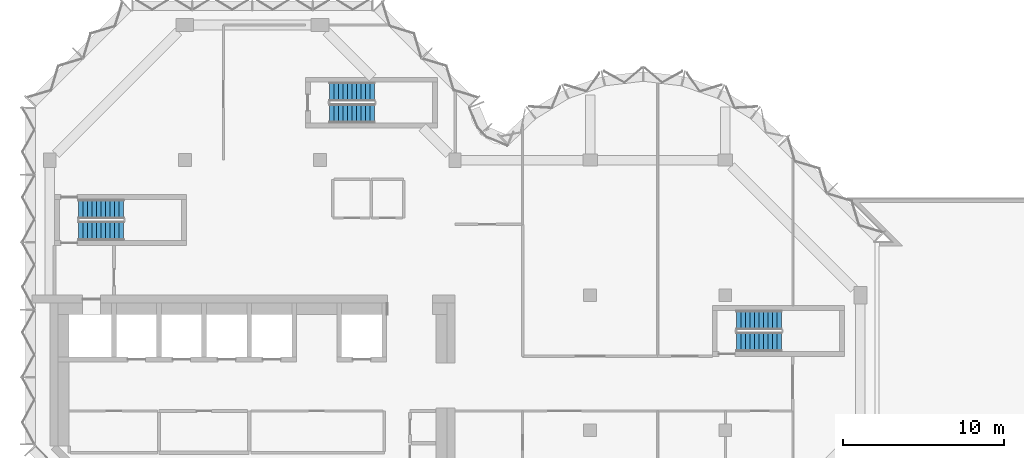
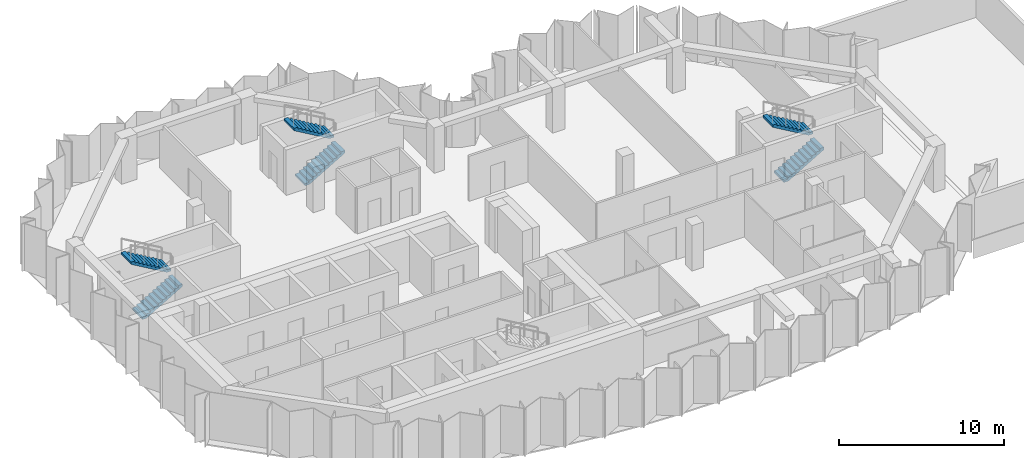
# One storey, part 7 of 9: 6 stair flights, 3 elements without a shape of their own.
"""IFC4 building model written with IfcOpenShell, lengths in metres."""

from ifc_helpers import new_model, si_unit, direction, frame, origin, place, context, subcontext, project, spatial, polyline, outline, extrude, material, type_object, element, aggregate, save


model = new_model("IFC4")

# Units and contexts
model_context = context("Model", 3, precision=1e-05, world=origin(), true_north=direction((0.0, 1.0)))
body_context = subcontext(model_context, "Body", "Model", "MODEL_VIEW")
ifc_project = project(units=[si_unit("LENGTHUNIT", "METRE"), si_unit("AREAUNIT", "SQUARE_METRE"), si_unit("VOLUMEUNIT", "CUBIC_METRE"), si_unit("PLANEANGLEUNIT", "RADIAN"), si_unit("MASSUNIT", "GRAM", prefix="KILO")], contexts=[model_context])

# Site, building, storey
site_placement = place(None, origin())
site = spatial("IfcSite", under=ifc_project, at=site_placement, CompositionType="ELEMENT")
building_placement = place(site_placement, origin())
building = spatial("IfcBuilding", under=site, at=building_placement, Name="Brevane Broadcast Tower", CompositionType="ELEMENT")
storey_placement = place(building_placement, frame((0.0, 0.0, 222.89990234375)))
storey = spatial("IfcBuildingStorey", under=building, at=storey_placement, Name="L56", CompositionType="ELEMENT", Elevation=222.89990234375)

# Stair, stair flights
ifc_material = material(Name="Concrete C50/60", Category="concrete")
stair_type = type_object("IfcStairType", Name="Exit stair 22 risers", PredefinedType="HALF_TURN_STAIR", material=ifc_material)
stair_1_placement = place(storey_placement, origin())
stair_1 = element("IfcStair", 1, at=stair_1_placement, inside=storey, type_object=stair_type, Name="L56 Exit stair ST-1", PredefinedType="HALF_TURN_STAIR")
stair_flight_type = type_object("IfcStairFlightType", Name="Exit stair flight 22 risers", PredefinedType="STRAIGHT", material=ifc_material)
stair_flight_1_placement = place(storey_placement, frame((1.800048828125, 20.800048828125, 0.0), z_axis=(0.0, 0.0, 1.0), x_axis=(1.0, 0.0, 0.0)))
stair_flight_1 = element("IfcStairFlight", 2, at=stair_flight_1_placement, type_object=stair_flight_type, Name="ST-1 flight 1", NumberOfRisers=11, NumberOfTreads=10, PredefinedType="STRAIGHT", RiserHeight=0.163636364, TreadLength=0.28, context=body_context, shape_type="SweptSolid", body=[
    extrude(outline(polyline([(0.0, 0.0), (0.0, 0.16357421875), (0.280029296875, 0.16357421875), (0.280029296875, 0.327392578125), (0.56005859375, 0.327392578125), (0.56005859375, 0.490966796875), (0.840087890625, 0.490966796875), (0.840087890625, 0.654541015625), (1.1201171875, 0.654541015625), (1.1201171875, 0.818115234375), (1.39990234375, 0.818115234375), (1.39990234375, 0.98193359375), (1.679931640625, 0.98193359375), (1.679931640625, 1.1455078125), (1.9599609375, 1.1455078125), (1.9599609375, 1.30908203125), (2.239990234375, 1.30908203125), (2.239990234375, 1.47265625), (2.52001953125, 1.47265625), (2.52001953125, 1.636474609375), (2.800048828125, 1.636474609375), (2.800048828125, 1.800048828125), (2.800048828125, 1.462646484375), (0.297119140625, 0.0), (0.0, 0.0)])), frame((0.0, 0.60009765625, 0.0), z_axis=(0.0, -1.0, 0.0), x_axis=(1.0, 0.0, 0.0)), (0.0, 0.0, 1.0), 1.199951171875),
])
stair_flight_2_placement = place(storey_placement, frame((4.60009765625, 22.14990234375, 1.800048828125), z_axis=(0.0, 0.0, 1.0), x_axis=(-1.0, 0.0, 0.0)))
stair_flight_2 = element("IfcStairFlight", 3, at=stair_flight_2_placement, type_object=stair_flight_type, Name="ST-1 flight 2", NumberOfRisers=11, NumberOfTreads=10, PredefinedType="STRAIGHT", RiserHeight=0.163636364, TreadLength=0.28, context=body_context, shape_type="SweptSolid", body=[
    extrude(outline(polyline([(0.0, 0.0), (0.0, 0.16357421875), (0.280029296875, 0.16357421875), (0.280029296875, 0.327392578125), (0.56005859375, 0.327392578125), (0.56005859375, 0.490966796875), (0.840087890625, 0.490966796875), (0.840087890625, 0.654541015625), (1.1201171875, 0.654541015625), (1.1201171875, 0.818115234375), (1.39990234375, 0.818115234375), (1.39990234375, 0.98193359375), (1.679931640625, 0.98193359375), (1.679931640625, 1.1455078125), (1.9599609375, 1.1455078125), (1.9599609375, 1.30908203125), (2.239990234375, 1.30908203125), (2.239990234375, 1.47265625), (2.52001953125, 1.47265625), (2.52001953125, 1.636474609375), (2.800048828125, 1.636474609375), (2.800048828125, 1.800048828125), (2.800048828125, 1.462646484375), (0.297119140625, 0.0), (0.0, 0.0)])), frame((0.0, 0.60009765625, 0.0), z_axis=(0.0, -1.0, 0.0), x_axis=(1.0, 0.0, 0.0)), (0.0, 0.0, 1.0), 1.199951171875),
])
aggregate(stair_1, [stair_flight_1, stair_flight_2])

stair_2_placement = place(storey_placement, origin())
stair_2 = element("IfcStair", 4, at=stair_2_placement, inside=storey, type_object=stair_type, Name="L56 Exit stair ST-3", PredefinedType="HALF_TURN_STAIR")
stair_flight_3_placement = place(storey_placement, frame((17.39990234375, 28.10009765625, 0.0), z_axis=(0.0, 0.0, 1.0), x_axis=(1.0, 0.0, 0.0)))
stair_flight_3 = element("IfcStairFlight", 5, at=stair_flight_3_placement, type_object=stair_flight_type, Name="ST-3 flight 1", NumberOfRisers=11, NumberOfTreads=10, PredefinedType="STRAIGHT", RiserHeight=0.163636364, TreadLength=0.28, context=body_context, shape_type="SweptSolid", body=[
    extrude(outline(polyline([(0.0, 0.0), (0.0, 0.16357421875), (0.280029296875, 0.16357421875), (0.280029296875, 0.327392578125), (0.56005859375, 0.327392578125), (0.56005859375, 0.490966796875), (0.840087890625, 0.490966796875), (0.840087890625, 0.654541015625), (1.1201171875, 0.654541015625), (1.1201171875, 0.818115234375), (1.39990234375, 0.818115234375), (1.39990234375, 0.98193359375), (1.679931640625, 0.98193359375), (1.679931640625, 1.1455078125), (1.9599609375, 1.1455078125), (1.9599609375, 1.30908203125), (2.239990234375, 1.30908203125), (2.239990234375, 1.47265625), (2.52001953125, 1.47265625), (2.52001953125, 1.636474609375), (2.800048828125, 1.636474609375), (2.800048828125, 1.800048828125), (2.800048828125, 1.462646484375), (0.297119140625, 0.0), (0.0, 0.0)])), frame((0.0, 0.60009765625, 0.0), z_axis=(0.0, -1.0, 0.0), x_axis=(1.0, 0.0, 0.0)), (0.0, 0.0, 1.0), 1.199951171875),
])
stair_flight_4_placement = place(storey_placement, frame((20.199951171875, 29.449951171875, 1.800048828125), z_axis=(0.0, 0.0, 1.0), x_axis=(-1.0, 0.0, 0.0)))
stair_flight_4 = element("IfcStairFlight", 6, at=stair_flight_4_placement, type_object=stair_flight_type, Name="ST-3 flight 2", NumberOfRisers=11, NumberOfTreads=10, PredefinedType="STRAIGHT", RiserHeight=0.163636364, TreadLength=0.28, context=body_context, shape_type="SweptSolid", body=[
    extrude(outline(polyline([(0.0, 0.0), (0.0, 0.16357421875), (0.280029296875, 0.16357421875), (0.280029296875, 0.327392578125), (0.56005859375, 0.327392578125), (0.56005859375, 0.490966796875), (0.840087890625, 0.490966796875), (0.840087890625, 0.654541015625), (1.1201171875, 0.654541015625), (1.1201171875, 0.818115234375), (1.39990234375, 0.818115234375), (1.39990234375, 0.98193359375), (1.679931640625, 0.98193359375), (1.679931640625, 1.1455078125), (1.9599609375, 1.1455078125), (1.9599609375, 1.30908203125), (2.239990234375, 1.30908203125), (2.239990234375, 1.47265625), (2.52001953125, 1.47265625), (2.52001953125, 1.636474609375), (2.800048828125, 1.636474609375), (2.800048828125, 1.800048828125), (2.800048828125, 1.462646484375), (0.297119140625, 0.0), (0.0, 0.0)])), frame((0.0, 0.60009765625, 0.0), z_axis=(0.0, -1.0, 0.0), x_axis=(1.0, 0.0, 0.0)), (0.0, 0.0, 1.0), 1.199951171875),
])
aggregate(stair_2, [stair_flight_3, stair_flight_4])

stair_3_placement = place(storey_placement, origin())
stair_3 = element("IfcStair", 7, at=stair_3_placement, inside=storey, type_object=stair_type, Name="L56 Exit stair ST-4", PredefinedType="HALF_TURN_STAIR")
stair_flight_5_placement = place(storey_placement, frame((42.699951171875, 13.89990234375, 0.0), z_axis=(0.0, 0.0, 1.0), x_axis=(1.0, 0.0, 0.0)))
stair_flight_5 = element("IfcStairFlight", 8, at=stair_flight_5_placement, type_object=stair_flight_type, Name="ST-4 flight 1", NumberOfRisers=11, NumberOfTreads=10, PredefinedType="STRAIGHT", RiserHeight=0.163636364, TreadLength=0.28, context=body_context, shape_type="SweptSolid", body=[
    extrude(outline(polyline([(0.0, 0.0), (0.0, 0.16357421875), (0.280029296875, 0.16357421875), (0.280029296875, 0.327392578125), (0.56005859375, 0.327392578125), (0.56005859375, 0.490966796875), (0.840087890625, 0.490966796875), (0.840087890625, 0.654541015625), (1.1201171875, 0.654541015625), (1.1201171875, 0.818115234375), (1.39990234375, 0.818115234375), (1.39990234375, 0.98193359375), (1.679931640625, 0.98193359375), (1.679931640625, 1.1455078125), (1.9599609375, 1.1455078125), (1.9599609375, 1.30908203125), (2.239990234375, 1.30908203125), (2.239990234375, 1.47265625), (2.52001953125, 1.47265625), (2.52001953125, 1.636474609375), (2.800048828125, 1.636474609375), (2.800048828125, 1.800048828125), (2.800048828125, 1.462646484375), (0.297119140625, 0.0), (0.0, 0.0)])), frame((0.0, 0.60009765625, 0.0), z_axis=(0.0, -1.0, 0.0), x_axis=(1.0, 0.0, 0.0)), (0.0, 0.0, 1.0), 1.199951171875),
])
stair_flight_6_placement = place(storey_placement, frame((45.5, 15.25, 1.800048828125), z_axis=(0.0, 0.0, 1.0), x_axis=(-1.0, 0.0, 0.0)))
stair_flight_6 = element("IfcStairFlight", 9, at=stair_flight_6_placement, type_object=stair_flight_type, Name="ST-4 flight 2", NumberOfRisers=11, NumberOfTreads=10, PredefinedType="STRAIGHT", RiserHeight=0.163636364, TreadLength=0.28, context=body_context, shape_type="SweptSolid", body=[
    extrude(outline(polyline([(0.0, 0.0), (0.0, 0.16357421875), (0.280029296875, 0.16357421875), (0.280029296875, 0.327392578125), (0.56005859375, 0.327392578125), (0.56005859375, 0.490966796875), (0.840087890625, 0.490966796875), (0.840087890625, 0.654541015625), (1.1201171875, 0.654541015625), (1.1201171875, 0.818115234375), (1.39990234375, 0.818115234375), (1.39990234375, 0.98193359375), (1.679931640625, 0.98193359375), (1.679931640625, 1.1455078125), (1.9599609375, 1.1455078125), (1.9599609375, 1.30908203125), (2.239990234375, 1.30908203125), (2.239990234375, 1.47265625), (2.52001953125, 1.47265625), (2.52001953125, 1.636474609375), (2.800048828125, 1.636474609375), (2.800048828125, 1.800048828125), (2.800048828125, 1.462646484375), (0.297119140625, 0.0), (0.0, 0.0)])), frame((0.0, 0.60009765625, 0.0), z_axis=(0.0, -1.0, 0.0), x_axis=(1.0, 0.0, 0.0)), (0.0, 0.0, 1.0), 1.199951171875),
])
aggregate(stair_3, [stair_flight_5, stair_flight_6])

save(model, "model.ifc")
